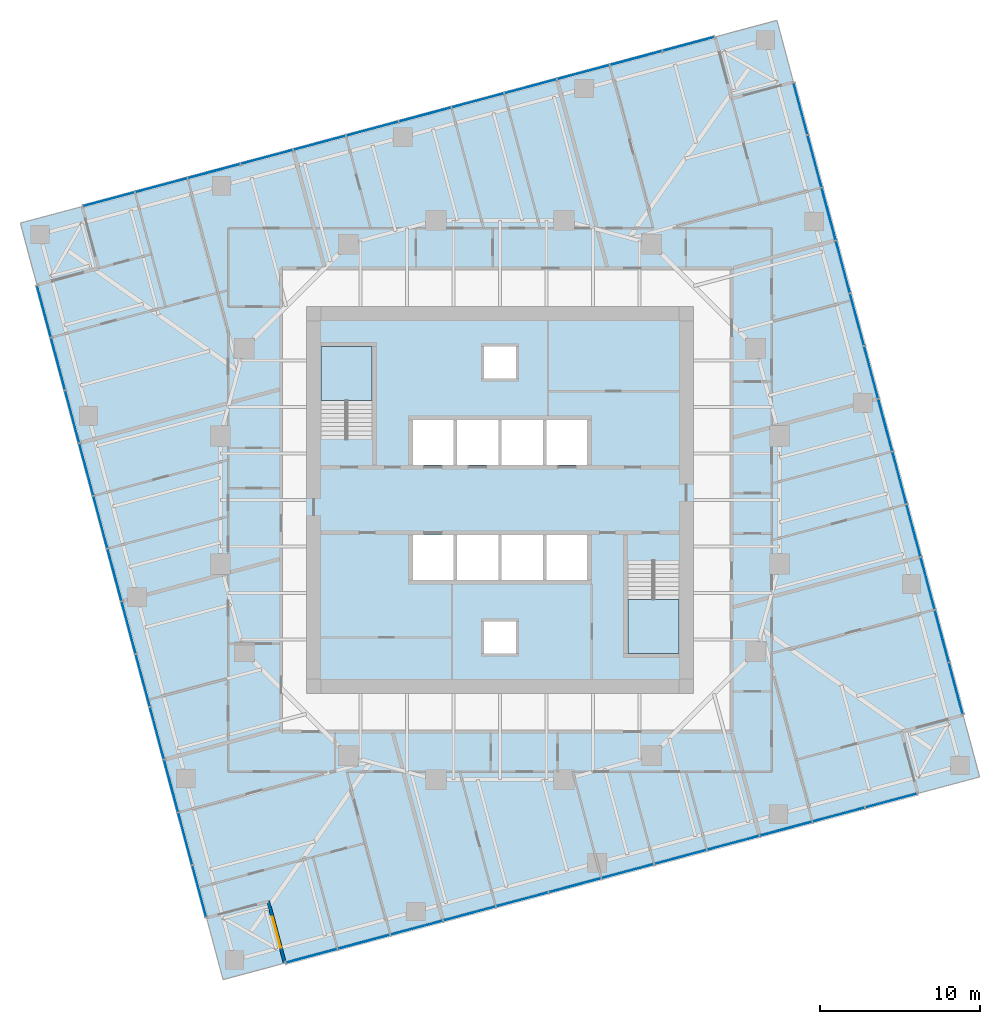
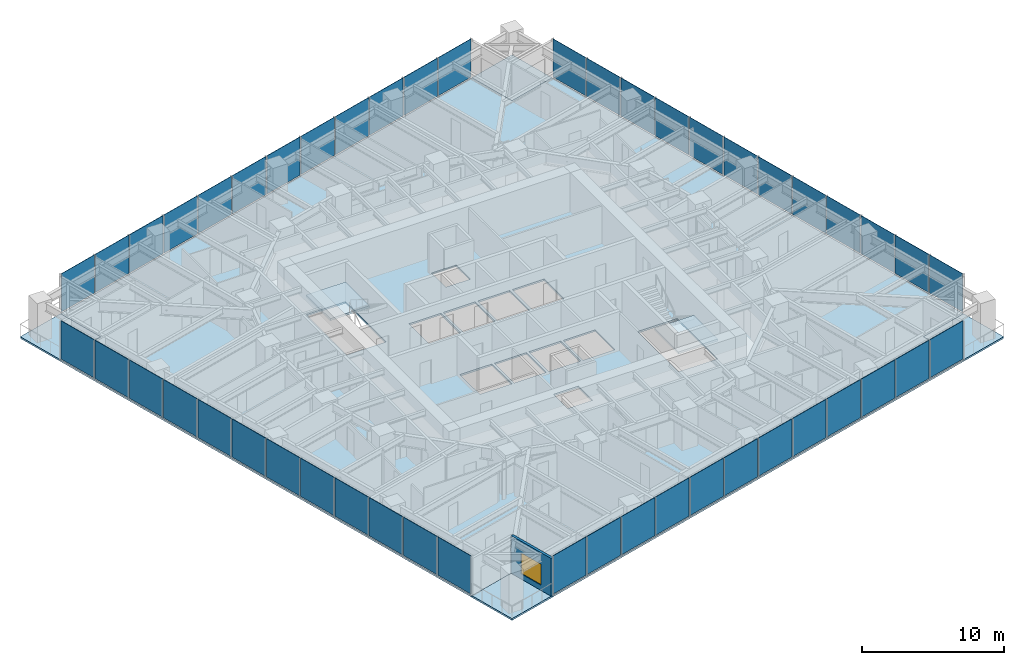
# One storey, part 7 of 13: 48 plates, 7 slabs, 1 wall, 1 window, 1 opening, 6 elements without a shape of their own.
"""IFC4 building model written with IfcOpenShell, lengths in metres."""

from ifc_helpers import new_model, si_unit, direction, frame, frame_2d, origin, origin_2d, place, context, subcontext, project, spatial, polyline, rectangle, outline, extrude, material, layer, layer_set, type_object, element, fill, aggregate, save


model = new_model("IFC4")

# Units and contexts
model_context = context("Model", 3, precision=1e-05, world=origin(), true_north=direction((0.0, 1.0)))
body_context = subcontext(model_context, "Body", "Model", "MODEL_VIEW")
ifc_project = project(units=[si_unit("LENGTHUNIT", "METRE"), si_unit("AREAUNIT", "SQUARE_METRE"), si_unit("VOLUMEUNIT", "CUBIC_METRE"), si_unit("PLANEANGLEUNIT", "RADIAN"), si_unit("MASSUNIT", "GRAM", prefix="KILO")], contexts=[model_context])

# Site, building, storey
site_placement = place(None, origin())
site = spatial("IfcSite", under=ifc_project, at=site_placement, CompositionType="ELEMENT")
building_placement = place(site_placement, origin())
building = spatial("IfcBuilding", under=site, at=building_placement, Name="Torsade Residences", CompositionType="ELEMENT")
storey_placement = place(building_placement, frame((0.0, 0.0, 115.0)))
storey = spatial("IfcBuildingStorey", under=building, at=storey_placement, Name="L31", CompositionType="ELEMENT", Elevation=115.0)

# Slab
ifc_material_1 = material(Name="Concrete 40 MPa", Category="concrete")
ifc_layer_1 = layer(ifc_material_1, 0.14990234375)
ifc_layer_set_1 = layer_set([ifc_layer_1], Name="Concrete 40 MPa")
slab_type_1 = type_object("IfcSlabType", Name="COMPOSITE FLOOR SLAB 150", PredefinedType="FLOOR", material=ifc_layer_set_1)
slab_1_placement = place(storey_placement, frame((0.0, 0.0, -0.14990234375)))
element("IfcSlab", 1, at=slab_1_placement, inside=storey, type_object=slab_type_1, Name="Floor slab L31", PredefinedType="FLOOR", context=body_context, shape_type="SweptSolid", body=[
    extrude(outline(polyline([(26.53955078125, 1.029052734375), (66.142578125, 11.640625), (65.107177734375, 15.50439453125), (68.970947265625, 16.53955078125), (58.359375, 56.142578125), (54.49560546875, 55.107177734375), (53.46044921875, 58.970947265625), (13.857421875, 48.359375), (14.892822265625, 44.49560546875), (11.029052734375, 43.46044921875), (21.640625, 3.857421875), (25.50439453125, 4.892822265625), (26.53955078125, 1.029052734375)]), holes=[polyline([(51.199951171875, 20.39990234375), (51.199951171875, 26.1201171875), (48.0, 26.1201171875), (48.0, 20.39990234375), (51.199951171875, 20.39990234375)]), polyline([(45.5, 27.800048828125), (42.89990234375, 27.800048828125), (42.89990234375, 25.0), (45.5, 25.0), (45.5, 27.800048828125)]), polyline([(45.5, 32.199951171875), (45.5, 35.0), (42.89990234375, 35.0), (42.89990234375, 32.199951171875), (45.5, 32.199951171875)]), polyline([(42.699951171875, 25.0), (42.699951171875, 27.800048828125), (40.10009765625, 27.800048828125), (40.10009765625, 25.0), (42.699951171875, 25.0)]), polyline([(42.699951171875, 32.199951171875), (42.699951171875, 35.0), (40.10009765625, 35.0), (40.10009765625, 32.199951171875), (42.699951171875, 32.199951171875)]), polyline([(41.0, 22.39990234375), (39.0, 22.39990234375), (39.0, 20.39990234375), (41.0, 20.39990234375), (41.0, 22.39990234375)]), polyline([(41.0, 37.60009765625), (41.0, 39.60009765625), (39.0, 39.60009765625), (39.0, 37.60009765625), (41.0, 37.60009765625)]), polyline([(39.89990234375, 25.0), (39.89990234375, 27.800048828125), (37.300048828125, 27.800048828125), (37.300048828125, 25.0), (39.89990234375, 25.0)]), polyline([(39.89990234375, 35.0), (37.300048828125, 35.0), (37.300048828125, 32.199951171875), (39.89990234375, 32.199951171875), (39.89990234375, 35.0)]), polyline([(37.10009765625, 27.800048828125), (34.5, 27.800048828125), (34.5, 25.0), (37.10009765625, 25.0), (37.10009765625, 27.800048828125)]), polyline([(37.10009765625, 32.199951171875), (37.10009765625, 35.0), (34.5, 35.0), (34.5, 32.199951171875), (37.10009765625, 32.199951171875)]), polyline([(32.0, 33.8798828125), (32.0, 39.60009765625), (28.800048828125, 39.60009765625), (28.800048828125, 33.8798828125), (32.0, 33.8798828125)])]), origin(), (0.0, 0.0, 1.0), 0.14990234375),
])

# Curtain wall, plates
ifc_material_2 = material(Name="Aluminium and glass", Category="aluminium")
curtain_wall_type = type_object("IfcCurtainWallType", Name="FRITTED GLASS CURTAIN WALL MID ZONE", PredefinedType="NOTDEFINED", material=ifc_material_2)
curtain_wall_1_placement = place(storey_placement, origin())
curtain_wall_1 = element("IfcCurtainWall", 2, at=curtain_wall_1_placement, inside=storey, type_object=curtain_wall_type, Name="Curtain wall L31 face 1", PredefinedType="NOTDEFINED")
ifc_material_3 = material(Name="Laminated glass", Category="glass")
ifc_layer_2 = layer(ifc_material_3, 0.031982421875)
ifc_layer_set_2 = layer_set([ifc_layer_2], Name="Laminated glass")
plate_type_1 = type_object("IfcPlateType", Name="FRITTED GLASS PANEL", PredefinedType="CURTAIN_PANEL", material=ifc_layer_set_2)
plate_1_placement = place(storey_placement, frame((28.208984375, 1.476318359375, 0.10986328125), z_axis=(0.0, 0.0, 1.0), x_axis=(0.965925825571, 0.258819047783, 0.0)))
plate_1 = element("IfcPlate", 3, at=plate_1_placement, type_object=plate_type_1, Name="Panel 1", PredefinedType="CURTAIN_PANEL", context=body_context, shape_type="SweptSolid", body=[
    extrude(rectangle(XDim=3.296630859375, YDim=0.031982421875, at=origin_2d()), origin(), (0.0, 0.0, 1.0), 3.2900390625),
])
plate_2_placement = place(storey_placement, frame((34.790283203125, 3.23974609375, 0.10986328125), z_axis=(0.0, 0.0, 1.0), x_axis=(0.965925825571, 0.258819047783, 0.0)))
plate_2 = element("IfcPlate", 4, at=plate_2_placement, type_object=plate_type_1, Name="Panel 3", PredefinedType="CURTAIN_PANEL", context=body_context, shape_type="SweptSolid", body=[
    extrude(rectangle(XDim=3.336669921875, YDim=0.031982421875, at=origin_2d()), origin(), (0.0, 0.0, 1.0), 3.2900390625),
])
plate_3_placement = place(storey_placement, frame((38.09033203125, 4.1240234375, 0.10986328125), z_axis=(0.0, 0.0, 1.0), x_axis=(0.965925825571, 0.258819047783, 0.0)))
plate_3 = element("IfcPlate", 5, at=plate_3_placement, type_object=plate_type_1, Name="Panel 4", PredefinedType="CURTAIN_PANEL", context=body_context, shape_type="SweptSolid", body=[
    extrude(rectangle(XDim=3.336669921875, YDim=0.031982421875, at=origin_2d()), origin(), (0.0, 0.0, 1.0), 3.2900390625),
])
plate_4_placement = place(storey_placement, frame((41.390625, 5.00830078125, 0.10986328125), z_axis=(0.0, 0.0, 1.0), x_axis=(0.965925825571, 0.258819047783, 0.0)))
plate_4 = element("IfcPlate", 6, at=plate_4_placement, type_object=plate_type_1, Name="Panel 5", PredefinedType="CURTAIN_PANEL", context=body_context, shape_type="SweptSolid", body=[
    extrude(rectangle(XDim=3.336669921875, YDim=0.031982421875, at=origin_2d()), origin(), (0.0, 0.0, 1.0), 3.2900390625),
])
plate_5_placement = place(storey_placement, frame((47.9912109375, 6.77685546875, 0.10986328125), z_axis=(0.0, 0.0, 1.0), x_axis=(0.965925825571, 0.258819047783, 0.0)))
plate_5 = element("IfcPlate", 7, at=plate_5_placement, type_object=plate_type_1, Name="Panel 7", PredefinedType="CURTAIN_PANEL", context=body_context, shape_type="SweptSolid", body=[
    extrude(rectangle(XDim=3.336669921875, YDim=0.031982421875, at=origin_2d()), origin(), (0.0, 0.0, 1.0), 3.2900390625),
])
plate_6_placement = place(storey_placement, frame((51.29150390625, 7.661376953125, 0.10986328125), z_axis=(0.0, 0.0, 1.0), x_axis=(0.965925825571, 0.258819047783, 0.0)))
plate_6 = element("IfcPlate", 8, at=plate_6_placement, type_object=plate_type_1, Name="Panel 8", PredefinedType="CURTAIN_PANEL", context=body_context, shape_type="SweptSolid", body=[
    extrude(rectangle(XDim=3.336669921875, YDim=0.031982421875, at=origin_2d()), origin(), (0.0, 0.0, 1.0), 3.2900390625),
])
plate_7_placement = place(storey_placement, frame((54.591796875, 8.545654296875, 0.10986328125), z_axis=(0.0, 0.0, 1.0), x_axis=(0.965925825571, 0.258819047783, 0.0)))
plate_7 = element("IfcPlate", 9, at=plate_7_placement, type_object=plate_type_1, Name="Panel 9", PredefinedType="CURTAIN_PANEL", context=body_context, shape_type="SweptSolid", body=[
    extrude(rectangle(XDim=3.336669921875, YDim=0.031982421875, at=origin_2d()), origin(), (0.0, 0.0, 1.0), 3.2900390625),
])
plate_8_placement = place(storey_placement, frame((61.192138671875, 10.314208984375, 0.10986328125), z_axis=(0.0, 0.0, 1.0), x_axis=(0.965925825571, 0.258819047783, 0.0)))
plate_8 = element("IfcPlate", 10, at=plate_8_placement, type_object=plate_type_1, Name="Panel 11", PredefinedType="CURTAIN_PANEL", context=body_context, shape_type="SweptSolid", body=[
    extrude(rectangle(XDim=3.336669921875, YDim=0.031982421875, at=origin_2d()), origin(), (0.0, 0.0, 1.0), 3.2900390625),
])
plate_9_placement = place(storey_placement, frame((64.47314453125, 11.193359375, 0.10986328125), z_axis=(0.0, 0.0, 1.0), x_axis=(0.965925825571, 0.258819047783, 0.0)))
plate_9 = element("IfcPlate", 11, at=plate_9_placement, type_object=plate_type_1, Name="Panel 12", PredefinedType="CURTAIN_PANEL", context=body_context, shape_type="SweptSolid", body=[
    extrude(rectangle(XDim=3.296630859375, YDim=0.031982421875, at=origin_2d()), origin(), (0.0, 0.0, 1.0), 3.2900390625),
])

curtain_wall_2_placement = place(storey_placement, origin())
curtain_wall_2 = element("IfcCurtainWall", 12, at=curtain_wall_2_placement, inside=storey, type_object=curtain_wall_type, Name="Curtain wall L31 face 4", PredefinedType="NOTDEFINED")
plate_10_placement = place(storey_placement, frame((68.523681640625, 18.208984375, 0.10986328125), z_axis=(0.0, 0.0, 1.0), x_axis=(-0.258819047783, 0.965925825571, 0.0)))
plate_10 = element("IfcPlate", 13, at=plate_10_placement, type_object=plate_type_1, Name="Panel 1", PredefinedType="CURTAIN_PANEL", context=body_context, shape_type="SweptSolid", body=[
    extrude(rectangle(XDim=3.296630859375, YDim=0.031982421875, at=origin_2d()), origin(), (0.0, 0.0, 1.0), 3.2900390625),
])
plate_11_placement = place(storey_placement, frame((66.76025390625, 24.790283203125, 0.10986328125), z_axis=(0.0, 0.0, 1.0), x_axis=(-0.258819047783, 0.965925825571, 0.0)))
plate_11 = element("IfcPlate", 14, at=plate_11_placement, type_object=plate_type_1, Name="Panel 3", PredefinedType="CURTAIN_PANEL", context=body_context, shape_type="SweptSolid", body=[
    extrude(rectangle(XDim=3.336669921875, YDim=0.031982421875, at=origin_2d()), origin(), (0.0, 0.0, 1.0), 3.2900390625),
])
plate_12_placement = place(storey_placement, frame((65.8759765625, 28.09033203125, 0.10986328125), z_axis=(0.0, 0.0, 1.0), x_axis=(-0.258819047783, 0.965925825571, 0.0)))
plate_12 = element("IfcPlate", 15, at=plate_12_placement, type_object=plate_type_1, Name="Panel 4", PredefinedType="CURTAIN_PANEL", context=body_context, shape_type="SweptSolid", body=[
    extrude(rectangle(XDim=3.336669921875, YDim=0.031982421875, at=origin_2d()), origin(), (0.0, 0.0, 1.0), 3.2900390625),
])
plate_13_placement = place(storey_placement, frame((64.99169921875, 31.390625, 0.10986328125), z_axis=(0.0, 0.0, 1.0), x_axis=(-0.258819047783, 0.965925825571, 0.0)))
plate_13 = element("IfcPlate", 16, at=plate_13_placement, type_object=plate_type_1, Name="Panel 5", PredefinedType="CURTAIN_PANEL", context=body_context, shape_type="SweptSolid", body=[
    extrude(rectangle(XDim=3.336669921875, YDim=0.031982421875, at=origin_2d()), origin(), (0.0, 0.0, 1.0), 3.2900390625),
])
plate_14_placement = place(storey_placement, frame((63.22314453125, 37.9912109375, 0.10986328125), z_axis=(0.0, 0.0, 1.0), x_axis=(-0.258819047783, 0.965925825571, 0.0)))
plate_14 = element("IfcPlate", 17, at=plate_14_placement, type_object=plate_type_1, Name="Panel 7", PredefinedType="CURTAIN_PANEL", context=body_context, shape_type="SweptSolid", body=[
    extrude(rectangle(XDim=3.336669921875, YDim=0.031982421875, at=origin_2d()), origin(), (0.0, 0.0, 1.0), 3.2900390625),
])
plate_15_placement = place(storey_placement, frame((62.338623046875, 41.29150390625, 0.10986328125), z_axis=(0.0, 0.0, 1.0), x_axis=(-0.258819047783, 0.965925825571, 0.0)))
plate_15 = element("IfcPlate", 18, at=plate_15_placement, type_object=plate_type_1, Name="Panel 8", PredefinedType="CURTAIN_PANEL", context=body_context, shape_type="SweptSolid", body=[
    extrude(rectangle(XDim=3.336669921875, YDim=0.031982421875, at=origin_2d()), origin(), (0.0, 0.0, 1.0), 3.2900390625),
])
plate_16_placement = place(storey_placement, frame((61.454345703125, 44.591796875, 0.10986328125), z_axis=(0.0, 0.0, 1.0), x_axis=(-0.258819047783, 0.965925825571, 0.0)))
plate_16 = element("IfcPlate", 19, at=plate_16_placement, type_object=plate_type_1, Name="Panel 9", PredefinedType="CURTAIN_PANEL", context=body_context, shape_type="SweptSolid", body=[
    extrude(rectangle(XDim=3.336669921875, YDim=0.031982421875, at=origin_2d()), origin(), (0.0, 0.0, 1.0), 3.2900390625),
])
plate_17_placement = place(storey_placement, frame((59.685791015625, 51.192138671875, 0.10986328125), z_axis=(0.0, 0.0, 1.0), x_axis=(-0.258819047783, 0.965925825571, 0.0)))
plate_17 = element("IfcPlate", 20, at=plate_17_placement, type_object=plate_type_1, Name="Panel 11", PredefinedType="CURTAIN_PANEL", context=body_context, shape_type="SweptSolid", body=[
    extrude(rectangle(XDim=3.336669921875, YDim=0.031982421875, at=origin_2d()), origin(), (0.0, 0.0, 1.0), 3.2900390625),
])
plate_18_placement = place(storey_placement, frame((58.806640625, 54.47314453125, 0.10986328125), z_axis=(0.0, 0.0, 1.0), x_axis=(-0.258819047783, 0.965925825571, 0.0)))
plate_18 = element("IfcPlate", 21, at=plate_18_placement, type_object=plate_type_1, Name="Panel 12", PredefinedType="CURTAIN_PANEL", context=body_context, shape_type="SweptSolid", body=[
    extrude(rectangle(XDim=3.296630859375, YDim=0.031982421875, at=origin_2d()), origin(), (0.0, 0.0, 1.0), 3.2900390625),
])

curtain_wall_3_placement = place(storey_placement, origin())
curtain_wall_3 = element("IfcCurtainWall", 22, at=curtain_wall_3_placement, inside=storey, type_object=curtain_wall_type, Name="Curtain wall L31 face 7", PredefinedType="NOTDEFINED")
plate_19_placement = place(storey_placement, frame((51.791015625, 58.523681640625, 0.10986328125), z_axis=(0.0, 0.0, 1.0), x_axis=(-0.965925825571, -0.258819047783, 0.0)))
plate_19 = element("IfcPlate", 23, at=plate_19_placement, type_object=plate_type_1, Name="Panel 1", PredefinedType="CURTAIN_PANEL", context=body_context, shape_type="SweptSolid", body=[
    extrude(rectangle(XDim=3.296630859375, YDim=0.031982421875, at=origin_2d()), origin(), (0.0, 0.0, 1.0), 3.2900390625),
])
plate_20_placement = place(storey_placement, frame((45.209716796875, 56.76025390625, 0.10986328125), z_axis=(0.0, 0.0, 1.0), x_axis=(-0.965925825571, -0.258819047783, 0.0)))
plate_20 = element("IfcPlate", 24, at=plate_20_placement, type_object=plate_type_1, Name="Panel 3", PredefinedType="CURTAIN_PANEL", context=body_context, shape_type="SweptSolid", body=[
    extrude(rectangle(XDim=3.336669921875, YDim=0.031982421875, at=origin_2d()), origin(), (0.0, 0.0, 1.0), 3.2900390625),
])
plate_21_placement = place(storey_placement, frame((41.90966796875, 55.8759765625, 0.10986328125), z_axis=(0.0, 0.0, 1.0), x_axis=(-0.965925825571, -0.258819047783, 0.0)))
plate_21 = element("IfcPlate", 25, at=plate_21_placement, type_object=plate_type_1, Name="Panel 4", PredefinedType="CURTAIN_PANEL", context=body_context, shape_type="SweptSolid", body=[
    extrude(rectangle(XDim=3.336669921875, YDim=0.031982421875, at=origin_2d()), origin(), (0.0, 0.0, 1.0), 3.2900390625),
])
plate_22_placement = place(storey_placement, frame((38.609375, 54.99169921875, 0.10986328125), z_axis=(0.0, 0.0, 1.0), x_axis=(-0.965925825571, -0.258819047783, 0.0)))
plate_22 = element("IfcPlate", 26, at=plate_22_placement, type_object=plate_type_1, Name="Panel 5", PredefinedType="CURTAIN_PANEL", context=body_context, shape_type="SweptSolid", body=[
    extrude(rectangle(XDim=3.336669921875, YDim=0.031982421875, at=origin_2d()), origin(), (0.0, 0.0, 1.0), 3.2900390625),
])
plate_23_placement = place(storey_placement, frame((32.0087890625, 53.22314453125, 0.10986328125), z_axis=(0.0, 0.0, 1.0), x_axis=(-0.965925825571, -0.258819047783, 0.0)))
plate_23 = element("IfcPlate", 27, at=plate_23_placement, type_object=plate_type_1, Name="Panel 7", PredefinedType="CURTAIN_PANEL", context=body_context, shape_type="SweptSolid", body=[
    extrude(rectangle(XDim=3.336669921875, YDim=0.031982421875, at=origin_2d()), origin(), (0.0, 0.0, 1.0), 3.2900390625),
])
plate_24_placement = place(storey_placement, frame((28.70849609375, 52.338623046875, 0.10986328125), z_axis=(0.0, 0.0, 1.0), x_axis=(-0.965925825571, -0.258819047783, 0.0)))
plate_24 = element("IfcPlate", 28, at=plate_24_placement, type_object=plate_type_1, Name="Panel 8", PredefinedType="CURTAIN_PANEL", context=body_context, shape_type="SweptSolid", body=[
    extrude(rectangle(XDim=3.336669921875, YDim=0.031982421875, at=origin_2d()), origin(), (0.0, 0.0, 1.0), 3.2900390625),
])
plate_25_placement = place(storey_placement, frame((25.408203125, 51.454345703125, 0.10986328125), z_axis=(0.0, 0.0, 1.0), x_axis=(-0.965925825571, -0.258819047783, 0.0)))
plate_25 = element("IfcPlate", 29, at=plate_25_placement, type_object=plate_type_1, Name="Panel 9", PredefinedType="CURTAIN_PANEL", context=body_context, shape_type="SweptSolid", body=[
    extrude(rectangle(XDim=3.336669921875, YDim=0.031982421875, at=origin_2d()), origin(), (0.0, 0.0, 1.0), 3.2900390625),
])
plate_26_placement = place(storey_placement, frame((18.807861328125, 49.685791015625, 0.10986328125), z_axis=(0.0, 0.0, 1.0), x_axis=(-0.965925825571, -0.258819047783, 0.0)))
plate_26 = element("IfcPlate", 30, at=plate_26_placement, type_object=plate_type_1, Name="Panel 11", PredefinedType="CURTAIN_PANEL", context=body_context, shape_type="SweptSolid", body=[
    extrude(rectangle(XDim=3.336669921875, YDim=0.031982421875, at=origin_2d()), origin(), (0.0, 0.0, 1.0), 3.2900390625),
])
plate_27_placement = place(storey_placement, frame((15.52685546875, 48.806640625, 0.10986328125), z_axis=(0.0, 0.0, 1.0), x_axis=(-0.965925825571, -0.258819047783, 0.0)))
plate_27 = element("IfcPlate", 31, at=plate_27_placement, type_object=plate_type_1, Name="Panel 12", PredefinedType="CURTAIN_PANEL", context=body_context, shape_type="SweptSolid", body=[
    extrude(rectangle(XDim=3.296630859375, YDim=0.031982421875, at=origin_2d()), origin(), (0.0, 0.0, 1.0), 3.2900390625),
])

curtain_wall_4_placement = place(storey_placement, origin())
curtain_wall_4 = element("IfcCurtainWall", 32, at=curtain_wall_4_placement, inside=storey, type_object=curtain_wall_type, Name="Curtain wall L31 face 10", PredefinedType="NOTDEFINED")
plate_28_placement = place(storey_placement, frame((11.476318359375, 41.791015625, 0.10986328125), z_axis=(0.0, 0.0, 1.0), x_axis=(0.258819047783, -0.965925825571, 0.0)))
plate_28 = element("IfcPlate", 33, at=plate_28_placement, type_object=plate_type_1, Name="Panel 1", PredefinedType="CURTAIN_PANEL", context=body_context, shape_type="SweptSolid", body=[
    extrude(rectangle(XDim=3.296630859375, YDim=0.031982421875, at=origin_2d()), origin(), (0.0, 0.0, 1.0), 3.2900390625),
])
plate_29_placement = place(storey_placement, frame((13.23974609375, 35.209716796875, 0.10986328125), z_axis=(0.0, 0.0, 1.0), x_axis=(0.258819047783, -0.965925825571, 0.0)))
plate_29 = element("IfcPlate", 34, at=plate_29_placement, type_object=plate_type_1, Name="Panel 3", PredefinedType="CURTAIN_PANEL", context=body_context, shape_type="SweptSolid", body=[
    extrude(rectangle(XDim=3.336669921875, YDim=0.031982421875, at=origin_2d()), origin(), (0.0, 0.0, 1.0), 3.2900390625),
])
plate_30_placement = place(storey_placement, frame((14.1240234375, 31.90966796875, 0.10986328125), z_axis=(0.0, 0.0, 1.0), x_axis=(0.258819047783, -0.965925825571, 0.0)))
plate_30 = element("IfcPlate", 35, at=plate_30_placement, type_object=plate_type_1, Name="Panel 4", PredefinedType="CURTAIN_PANEL", context=body_context, shape_type="SweptSolid", body=[
    extrude(rectangle(XDim=3.336669921875, YDim=0.031982421875, at=origin_2d()), origin(), (0.0, 0.0, 1.0), 3.2900390625),
])
plate_31_placement = place(storey_placement, frame((15.00830078125, 28.609375, 0.10986328125), z_axis=(0.0, 0.0, 1.0), x_axis=(0.258819047783, -0.965925825571, 0.0)))
plate_31 = element("IfcPlate", 36, at=plate_31_placement, type_object=plate_type_1, Name="Panel 5", PredefinedType="CURTAIN_PANEL", context=body_context, shape_type="SweptSolid", body=[
    extrude(rectangle(XDim=3.336669921875, YDim=0.031982421875, at=origin_2d()), origin(), (0.0, 0.0, 1.0), 3.2900390625),
])
plate_32_placement = place(storey_placement, frame((16.77685546875, 22.0087890625, 0.10986328125), z_axis=(0.0, 0.0, 1.0), x_axis=(0.258819047783, -0.965925825571, 0.0)))
plate_32 = element("IfcPlate", 37, at=plate_32_placement, type_object=plate_type_1, Name="Panel 7", PredefinedType="CURTAIN_PANEL", context=body_context, shape_type="SweptSolid", body=[
    extrude(rectangle(XDim=3.336669921875, YDim=0.031982421875, at=origin_2d()), origin(), (0.0, 0.0, 1.0), 3.2900390625),
])
plate_33_placement = place(storey_placement, frame((17.661376953125, 18.70849609375, 0.10986328125), z_axis=(0.0, 0.0, 1.0), x_axis=(0.258819047783, -0.965925825571, 0.0)))
plate_33 = element("IfcPlate", 38, at=plate_33_placement, type_object=plate_type_1, Name="Panel 8", PredefinedType="CURTAIN_PANEL", context=body_context, shape_type="SweptSolid", body=[
    extrude(rectangle(XDim=3.336669921875, YDim=0.031982421875, at=origin_2d()), origin(), (0.0, 0.0, 1.0), 3.2900390625),
])
plate_34_placement = place(storey_placement, frame((18.545654296875, 15.408203125, 0.10986328125), z_axis=(0.0, 0.0, 1.0), x_axis=(0.258819047783, -0.965925825571, 0.0)))
plate_34 = element("IfcPlate", 39, at=plate_34_placement, type_object=plate_type_1, Name="Panel 9", PredefinedType="CURTAIN_PANEL", context=body_context, shape_type="SweptSolid", body=[
    extrude(rectangle(XDim=3.336669921875, YDim=0.031982421875, at=origin_2d()), origin(), (0.0, 0.0, 1.0), 3.2900390625),
])
plate_35_placement = place(storey_placement, frame((20.314208984375, 8.807861328125, 0.10986328125), z_axis=(0.0, 0.0, 1.0), x_axis=(0.258819047783, -0.965925825571, 0.0)))
plate_35 = element("IfcPlate", 40, at=plate_35_placement, type_object=plate_type_1, Name="Panel 11", PredefinedType="CURTAIN_PANEL", context=body_context, shape_type="SweptSolid", body=[
    extrude(rectangle(XDim=3.336669921875, YDim=0.031982421875, at=origin_2d()), origin(), (0.0, 0.0, 1.0), 3.2900390625),
])
plate_36_placement = place(storey_placement, frame((21.193359375, 5.52685546875, 0.10986328125), z_axis=(0.0, 0.0, 1.0), x_axis=(0.258819047783, -0.965925825571, 0.0)))
plate_36 = element("IfcPlate", 41, at=plate_36_placement, type_object=plate_type_1, Name="Panel 12", PredefinedType="CURTAIN_PANEL", context=body_context, shape_type="SweptSolid", body=[
    extrude(rectangle(XDim=3.296630859375, YDim=0.031982421875, at=origin_2d()), origin(), (0.0, 0.0, 1.0), 3.2900390625),
])

# Plate
ifc_material_4 = material(Name="Laminated glass", Category="glass")
ifc_layer_3 = layer(ifc_material_4, 0.0400390625)
ifc_layer_set_3 = layer_set([ifc_layer_3], Name="Laminated glass")
plate_type_2 = type_object("IfcPlateType", Name="OPERABLE VENT PANEL", PredefinedType="CURTAIN_PANEL", material=ifc_layer_set_3)
plate_37_placement = place(storey_placement, frame((31.489990234375, 2.35546875, 0.10986328125), z_axis=(0.0, 0.0, 1.0), x_axis=(0.965925825571, 0.258819047783, 0.0)))
plate_37 = element("IfcPlate", 42, at=plate_37_placement, type_object=plate_type_2, Name="Panel 2", PredefinedType="CURTAIN_PANEL", context=body_context, shape_type="SweptSolid", body=[
    extrude(rectangle(XDim=3.336669921875, YDim=0.0400390625, at=origin_2d()), origin(), (0.0, 0.0, 1.0), 3.2900390625),
])

plate_38_placement = place(storey_placement, frame((44.69091796875, 5.892578125, 0.10986328125), z_axis=(0.0, 0.0, 1.0), x_axis=(0.965925825571, 0.258819047783, 0.0)))
plate_38 = element("IfcPlate", 43, at=plate_38_placement, type_object=plate_type_2, Name="Panel 6", PredefinedType="CURTAIN_PANEL", context=body_context, shape_type="SweptSolid", body=[
    extrude(rectangle(XDim=3.336669921875, YDim=0.0400390625, at=origin_2d()), origin(), (0.0, 0.0, 1.0), 3.2900390625),
])

plate_39_placement = place(storey_placement, frame((57.891845703125, 9.429931640625, 0.10986328125), z_axis=(0.0, 0.0, 1.0), x_axis=(0.965925825571, 0.258819047783, 0.0)))
plate_39 = element("IfcPlate", 44, at=plate_39_placement, type_object=plate_type_2, Name="Panel 10", PredefinedType="CURTAIN_PANEL", context=body_context, shape_type="SweptSolid", body=[
    extrude(rectangle(XDim=3.336669921875, YDim=0.0400390625, at=origin_2d()), origin(), (0.0, 0.0, 1.0), 3.2900390625),
])

aggregate(curtain_wall_1, [plate_1, plate_37, plate_2, plate_3, plate_4, plate_38, plate_5, plate_6, plate_7, plate_39, plate_8, plate_9])

plate_40_placement = place(storey_placement, frame((67.64453125, 21.489990234375, 0.10986328125), z_axis=(0.0, 0.0, 1.0), x_axis=(-0.258819047783, 0.965925825571, 0.0)))
plate_40 = element("IfcPlate", 45, at=plate_40_placement, type_object=plate_type_2, Name="Panel 2", PredefinedType="CURTAIN_PANEL", context=body_context, shape_type="SweptSolid", body=[
    extrude(rectangle(XDim=3.336669921875, YDim=0.0400390625, at=origin_2d()), origin(), (0.0, 0.0, 1.0), 3.2900390625),
])

plate_41_placement = place(storey_placement, frame((64.107421875, 34.69091796875, 0.10986328125), z_axis=(0.0, 0.0, 1.0), x_axis=(-0.258819047783, 0.965925825571, 0.0)))
plate_41 = element("IfcPlate", 46, at=plate_41_placement, type_object=plate_type_2, Name="Panel 6", PredefinedType="CURTAIN_PANEL", context=body_context, shape_type="SweptSolid", body=[
    extrude(rectangle(XDim=3.336669921875, YDim=0.0400390625, at=origin_2d()), origin(), (0.0, 0.0, 1.0), 3.2900390625),
])

plate_42_placement = place(storey_placement, frame((60.570068359375, 47.891845703125, 0.10986328125), z_axis=(0.0, 0.0, 1.0), x_axis=(-0.258819047783, 0.965925825571, 0.0)))
plate_42 = element("IfcPlate", 47, at=plate_42_placement, type_object=plate_type_2, Name="Panel 10", PredefinedType="CURTAIN_PANEL", context=body_context, shape_type="SweptSolid", body=[
    extrude(rectangle(XDim=3.336669921875, YDim=0.0400390625, at=origin_2d()), origin(), (0.0, 0.0, 1.0), 3.2900390625),
])

aggregate(curtain_wall_2, [plate_10, plate_40, plate_11, plate_12, plate_13, plate_41, plate_14, plate_15, plate_16, plate_42, plate_17, plate_18])

plate_43_placement = place(storey_placement, frame((48.510009765625, 57.64453125, 0.10986328125), z_axis=(0.0, 0.0, 1.0), x_axis=(-0.965925825571, -0.258819047783, 0.0)))
plate_43 = element("IfcPlate", 48, at=plate_43_placement, type_object=plate_type_2, Name="Panel 2", PredefinedType="CURTAIN_PANEL", context=body_context, shape_type="SweptSolid", body=[
    extrude(rectangle(XDim=3.336669921875, YDim=0.0400390625, at=origin_2d()), origin(), (0.0, 0.0, 1.0), 3.2900390625),
])

plate_44_placement = place(storey_placement, frame((35.30908203125, 54.107421875, 0.10986328125), z_axis=(0.0, 0.0, 1.0), x_axis=(-0.965925825571, -0.258819047783, 0.0)))
plate_44 = element("IfcPlate", 49, at=plate_44_placement, type_object=plate_type_2, Name="Panel 6", PredefinedType="CURTAIN_PANEL", context=body_context, shape_type="SweptSolid", body=[
    extrude(rectangle(XDim=3.336669921875, YDim=0.0400390625, at=origin_2d()), origin(), (0.0, 0.0, 1.0), 3.2900390625),
])

plate_45_placement = place(storey_placement, frame((22.108154296875, 50.570068359375, 0.10986328125), z_axis=(0.0, 0.0, 1.0), x_axis=(-0.965925825571, -0.258819047783, 0.0)))
plate_45 = element("IfcPlate", 50, at=plate_45_placement, type_object=plate_type_2, Name="Panel 10", PredefinedType="CURTAIN_PANEL", context=body_context, shape_type="SweptSolid", body=[
    extrude(rectangle(XDim=3.336669921875, YDim=0.0400390625, at=origin_2d()), origin(), (0.0, 0.0, 1.0), 3.2900390625),
])

aggregate(curtain_wall_3, [plate_19, plate_43, plate_20, plate_21, plate_22, plate_44, plate_23, plate_24, plate_25, plate_45, plate_26, plate_27])

plate_46_placement = place(storey_placement, frame((12.35546875, 38.510009765625, 0.10986328125), z_axis=(0.0, 0.0, 1.0), x_axis=(0.258819047783, -0.965925825571, 0.0)))
plate_46 = element("IfcPlate", 51, at=plate_46_placement, type_object=plate_type_2, Name="Panel 2", PredefinedType="CURTAIN_PANEL", context=body_context, shape_type="SweptSolid", body=[
    extrude(rectangle(XDim=3.336669921875, YDim=0.0400390625, at=origin_2d()), origin(), (0.0, 0.0, 1.0), 3.2900390625),
])

plate_47_placement = place(storey_placement, frame((15.892578125, 25.30908203125, 0.10986328125), z_axis=(0.0, 0.0, 1.0), x_axis=(0.258819047783, -0.965925825571, 0.0)))
plate_47 = element("IfcPlate", 52, at=plate_47_placement, type_object=plate_type_2, Name="Panel 6", PredefinedType="CURTAIN_PANEL", context=body_context, shape_type="SweptSolid", body=[
    extrude(rectangle(XDim=3.336669921875, YDim=0.0400390625, at=origin_2d()), origin(), (0.0, 0.0, 1.0), 3.2900390625),
])

plate_48_placement = place(storey_placement, frame((19.429931640625, 12.108154296875, 0.10986328125), z_axis=(0.0, 0.0, 1.0), x_axis=(0.258819047783, -0.965925825571, 0.0)))
plate_48 = element("IfcPlate", 53, at=plate_48_placement, type_object=plate_type_2, Name="Panel 10", PredefinedType="CURTAIN_PANEL", context=body_context, shape_type="SweptSolid", body=[
    extrude(rectangle(XDim=3.336669921875, YDim=0.0400390625, at=origin_2d()), origin(), (0.0, 0.0, 1.0), 3.2900390625),
])

aggregate(curtain_wall_4, [plate_28, plate_46, plate_29, plate_30, plate_31, plate_47, plate_32, plate_33, plate_34, plate_48, plate_35, plate_36])

# Stair, slab
ifc_material_5 = material(Name="Precast concrete 40 MPa", Category="concrete")
stair_type = type_object("IfcStairType", Name="HALF-TURN FIRE STAIR 1500x3400", PredefinedType="HALF_TURN_STAIR", material=ifc_material_5)
stair_1_placement = place(storey_placement, origin())
stair_1 = element("IfcStair", 54, at=stair_1_placement, inside=storey, type_object=stair_type, Name="Stair ST1 L31", PredefinedType="HALF_TURN_STAIR")
ifc_material_6 = material(Name="Precast concrete 40 MPa", Category="concrete")
ifc_layer_4 = layer(ifc_material_6, 0.179931640625)
ifc_layer_set_4 = layer_set([ifc_layer_4], Name="Precast concrete 40 MPa")
slab_type_2 = type_object("IfcSlabType", Name="PRECAST STAIR LANDING 180", PredefinedType="LANDING", material=ifc_layer_set_4)
slab_2_placement = place(storey_placement, frame((0.0, 0.0, 1.52001953125)))
slab_2 = element("IfcSlab", 55, at=slab_2_placement, type_object=slab_type_2, Name="ST1 landing 1", PredefinedType="LANDING", context=body_context, shape_type="SweptSolid", body=[
    extrude(outline(polyline([(28.800048828125, 36.2099609375), (32.0, 36.2099609375), (32.0, 39.60009765625), (28.800048828125, 39.60009765625), (28.800048828125, 36.2099609375)])), origin(), (0.0, 0.0, 1.0), 0.179931640625),
])
aggregate(stair_1, [slab_2])

stair_2_placement = place(storey_placement, origin())
stair_2 = element("IfcStair", 56, at=stair_2_placement, inside=storey, type_object=stair_type, Name="Stair ST2 L31", PredefinedType="HALF_TURN_STAIR")
slab_3_placement = place(storey_placement, frame((0.0, 0.0, 1.52001953125)))
slab_3 = element("IfcSlab", 57, at=slab_3_placement, type_object=slab_type_2, Name="ST2 landing 1", PredefinedType="LANDING", context=body_context, shape_type="SweptSolid", body=[
    extrude(outline(polyline([(48.0, 20.39990234375), (51.199951171875, 20.39990234375), (51.199951171875, 23.7900390625), (48.0, 23.7900390625), (48.0, 20.39990234375)])), origin(), (0.0, 0.0, 1.0), 0.179931640625),
])
aggregate(stair_2, [slab_3])

# Slabs
ifc_material_7 = material(Name="Concrete 40 MPa", Category="concrete")
ifc_layer_5 = layer(ifc_material_7, 0.14990234375)
ifc_layer_set_5 = layer_set([ifc_layer_5], Name="Concrete 40 MPa")
slab_type_3 = type_object("IfcSlabType", Name="TERRACE SLAB 150", PredefinedType="FLOOR", material=ifc_layer_set_5)
slab_4_placement = place(storey_placement, frame((0.0, 0.0, -0.14990234375)))
element("IfcSlab", 58, at=slab_4_placement, inside=storey, type_object=slab_type_3, Name="Corner terrace slab SE L31", PredefinedType="FLOOR", context=body_context, shape_type="SweptSolid", body=[
    extrude(outline(polyline([(66.142578125, 11.640625), (70.00634765625, 12.67578125), (68.970947265625, 16.53955078125), (65.107177734375, 15.50439453125), (66.142578125, 11.640625)])), origin(), (0.0, 0.0, 1.0), 0.14990234375),
])
slab_5_placement = place(storey_placement, frame((0.0, 0.0, -0.14990234375)))
element("IfcSlab", 59, at=slab_5_placement, inside=storey, type_object=slab_type_3, Name="Corner terrace slab NE L31", PredefinedType="FLOOR", context=body_context, shape_type="SweptSolid", body=[
    extrude(outline(polyline([(54.49560546875, 55.107177734375), (58.359375, 56.142578125), (57.32421875, 60.00634765625), (53.46044921875, 58.970947265625), (54.49560546875, 55.107177734375)])), origin(), (0.0, 0.0, 1.0), 0.14990234375),
])
slab_6_placement = place(storey_placement, frame((0.0, 0.0, -0.14990234375)))
element("IfcSlab", 60, at=slab_6_placement, inside=storey, type_object=slab_type_3, Name="Corner terrace slab NW L31", PredefinedType="FLOOR", context=body_context, shape_type="SweptSolid", body=[
    extrude(outline(polyline([(11.029052734375, 43.46044921875), (14.892822265625, 44.49560546875), (13.857421875, 48.359375), (9.99365234375, 47.32421875), (11.029052734375, 43.46044921875)])), origin(), (0.0, 0.0, 1.0), 0.14990234375),
])
slab_7_placement = place(storey_placement, frame((0.0, 0.0, -0.14990234375)))
element("IfcSlab", 61, at=slab_7_placement, inside=storey, type_object=slab_type_3, Name="Corner terrace slab SW L31", PredefinedType="FLOOR", context=body_context, shape_type="SweptSolid", body=[
    extrude(outline(polyline([(22.67578125, -0.00634765625), (26.53955078125, 1.029052734375), (25.50439453125, 4.892822265625), (21.640625, 3.857421875), (22.67578125, -0.00634765625)])), origin(), (0.0, 0.0, 1.0), 0.14990234375),
])

# Wall, opening, window
ifc_material_8 = material(Name="Stone-faced precast concrete 40 MPa panel", Category="masonry")
ifc_layer_6 = layer(ifc_material_8, 0.199951171875)
ifc_layer_set_6 = layer_set([ifc_layer_6], Name="Stone-faced precast concrete 40 MPa panel")
wall_type = type_object("IfcWallType", Name="TERRACE WALL 200", PredefinedType="SOLIDWALL", material=ifc_layer_set_6)
wall_placement = place(storey_placement, frame((25.50439453125, 4.892822265625, 0.0), z_axis=(0.0, 0.0, 1.0), x_axis=(0.258786931944, -0.965934430412, 0.0)))
wall = element("IfcWall", 62, at=wall_placement, inside=storey, type_object=wall_type, Name="Terrace wall L31 12", PredefinedType="SOLIDWALL", context=body_context, shape_type="SweptSolid", body=[
    extrude(rectangle(XDim=4.0, YDim=0.199951171875, at=frame_2d((2.0, 0.0))), origin(), (0.0, 0.0, 1.0), 3.25),
])
opening_placement = place(wall_placement, frame((1.0, 0.0, 0.449951171875)))
opening = element("IfcOpeningElement", 63, at=opening_placement, cuts=wall, Name="Opening W1B", PredefinedType="OPENING", context=body_context, shape_type="SweptSolid", body=[
    extrude(rectangle(XDim=2.0, YDim=1.800048828125, at=frame_2d((1.0, 0.89990234375))), frame((0.0, 0.10986328125, 0.0), z_axis=(0.0, -1.0, 0.0), x_axis=(1.0, 0.0, 0.0)), (0.0, 0.0, 1.0), 0.219970703125),
])
ifc_material_9 = material(Name="Aluminium-framed glass window", Category="aluminium")
window_type = type_object("IfcWindowType", Name="TERRACE WINDOW 2000x1800", PartitioningType="SINGLE_PANEL", PredefinedType="WINDOW", material=ifc_material_9)
window_placement = place(opening_placement, origin())
window = element("IfcWindow", 64, at=window_placement, inside=storey, type_object=window_type, Name="Terrace window L31 12", OverallHeight=1.800048828125, OverallWidth=2.0, PartitioningType="SINGLE_PANEL", PredefinedType="WINDOW", context=body_context, shape_type="SweptSolid", body=[
    extrude(rectangle(XDim=2.0, YDim=1.800048828125, at=frame_2d((1.0, 0.89990234375))), frame((0.0, 0.030029296875, 0.0), z_axis=(0.0, -1.0, 0.0), x_axis=(1.0, 0.0, 0.0)), (0.0, 0.0, 1.0), 0.06005859375),
])
fill(opening, window)

save(model, "model.ifc")
